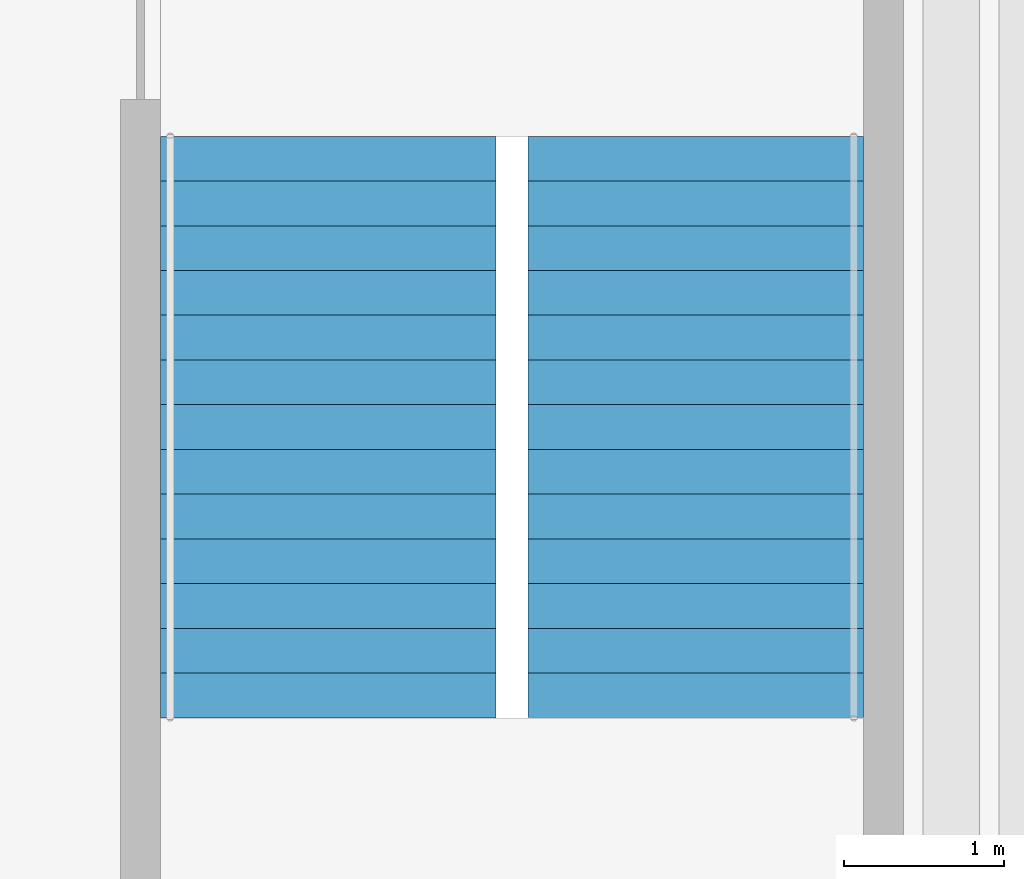
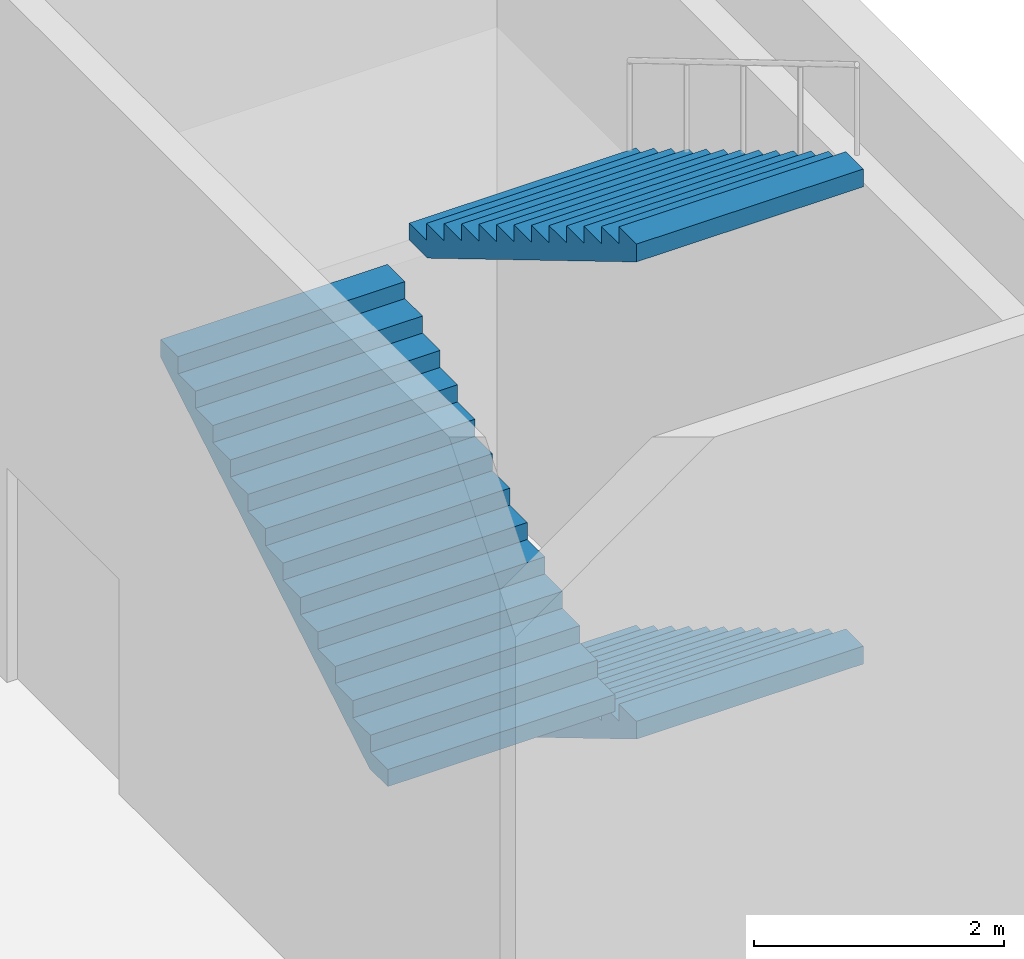
# One storey, part 17 of 32: 3 stair flights, 1 element without a shape of its own.
"""IFC4 building model written with IfcOpenShell, lengths in metres."""

from ifc_helpers import new_model, si_unit, direction, frame, origin, place, context, subcontext, project, spatial, polyline, outline, extrude, material, type_object, element, aggregate, save


model = new_model("IFC4")

# Units and contexts
model_context = context("Model", 3, precision=1e-05, world=origin(), true_north=direction((0.0, 1.0)))
body_context = subcontext(model_context, "Body", "Model", "MODEL_VIEW")
ifc_project = project(units=[si_unit("LENGTHUNIT", "METRE"), si_unit("AREAUNIT", "SQUARE_METRE"), si_unit("VOLUMEUNIT", "CUBIC_METRE"), si_unit("PLANEANGLEUNIT", "RADIAN"), si_unit("MASSUNIT", "GRAM", prefix="KILO")], contexts=[model_context])

# Site, building, storey
site_placement = place(None, origin())
site = spatial("IfcSite", under=ifc_project, at=site_placement, CompositionType="ELEMENT")
building_placement = place(site_placement, origin())
building = spatial("IfcBuilding", under=site, at=building_placement, Name="Loomwork Tower", CompositionType="ELEMENT")
storey_placement = place(building_placement, frame((0.0, 0.0, 16.0)))
storey = spatial("IfcBuildingStorey", under=building, at=storey_placement, Name="L03", CompositionType="ELEMENT", Elevation=16.0)

# Stair, stair flights
ifc_material_1 = material(Name="Concrete 5000 psi (34 MPa) precast stair", Category="concrete")
stair_type = type_object("IfcStairType", Name="Stair ST-S4P 42 risers of 167 4400 wide", PredefinedType="HALF_TURN_STAIR", material=ifc_material_1)
stair_placement = place(storey_placement, origin())
stair = element("IfcStair", 1, at=stair_placement, inside=storey, type_object=stair_type, Name="Podium stair PS4 L03", PredefinedType="HALF_TURN_STAIR")
ifc_material_2 = material(Name="Concrete 5000 psi (34 MPa) precast stair", Category="concrete")
stair_flight_type = type_object("IfcStairFlightType", Name="Stair flight ST-S4P 14 risers of 167 2100 wide", PredefinedType="STRAIGHT", material=ifc_material_2)
stair_flight_1_placement = place(storey_placement, frame((61.39990234375, 42.320068359375, 0.0), z_axis=(0.0, 0.0, 1.0), x_axis=(0.0, -1.0, 0.0)))
stair_flight_1 = element("IfcStairFlight", 2, at=stair_flight_1_placement, type_object=stair_flight_type, Name="ST-S4P flight 1", NumberOfRisers=14, NumberOfTreads=13, PredefinedType="STRAIGHT", RiserHeight=0.166666667, TreadLength=0.28, context=body_context, shape_type="SweptSolid", body=[
    extrude(outline(polyline([(0.0, 0.0), (0.0, 0.166748046875), (0.280029296875, 0.166748046875), (0.280029296875, 0.333251953125), (0.56005859375, 0.333251953125), (0.56005859375, 0.5), (0.840087890625, 0.5), (0.840087890625, 0.666748046875), (1.1201171875, 0.666748046875), (1.1201171875, 0.833251953125), (1.39990234375, 0.833251953125), (1.39990234375, 1.0), (1.679931640625, 1.0), (1.679931640625, 1.166748046875), (1.9599609375, 1.166748046875), (1.9599609375, 1.333251953125), (2.239990234375, 1.333251953125), (2.239990234375, 1.5), (2.52001953125, 1.5), (2.52001953125, 1.666748046875), (2.800048828125, 1.666748046875), (2.800048828125, 1.833251953125), (3.080078125, 1.833251953125), (3.080078125, 2.0), (3.360107421875, 2.0), (3.360107421875, 2.166748046875), (3.639892578125, 2.166748046875), (3.639892578125, 2.333251953125), (3.639892578125, 1.9921875), (0.29296875, 0.0), (0.0, 0.0)])), frame((0.0, 1.050048828125, 0.0), z_axis=(0.0, -1.0, 0.0), x_axis=(1.0, 0.0, 0.0)), (0.0, 0.0, 1.0), 2.10009765625),
])
stair_flight_2_placement = place(storey_placement, frame((59.10009765625, 38.679931640625, 2.333251953125), z_axis=(0.0, 0.0, 1.0), x_axis=(0.0, 1.0, 0.0)))
stair_flight_2 = element("IfcStairFlight", 3, at=stair_flight_2_placement, type_object=stair_flight_type, Name="ST-S4P flight 2", NumberOfRisers=14, NumberOfTreads=13, PredefinedType="STRAIGHT", RiserHeight=0.166666667, TreadLength=0.28, context=body_context, shape_type="SweptSolid", body=[
    extrude(outline(polyline([(0.0, 0.0), (0.0, 0.166748046875), (0.280029296875, 0.166748046875), (0.280029296875, 0.333251953125), (0.56005859375, 0.333251953125), (0.56005859375, 0.5), (0.840087890625, 0.5), (0.840087890625, 0.666748046875), (1.1201171875, 0.666748046875), (1.1201171875, 0.833251953125), (1.39990234375, 0.833251953125), (1.39990234375, 1.0), (1.679931640625, 1.0), (1.679931640625, 1.166748046875), (1.9599609375, 1.166748046875), (1.9599609375, 1.333251953125), (2.239990234375, 1.333251953125), (2.239990234375, 1.5), (2.52001953125, 1.5), (2.52001953125, 1.666748046875), (2.800048828125, 1.666748046875), (2.800048828125, 1.833251953125), (3.080078125, 1.833251953125), (3.080078125, 2.0), (3.360107421875, 2.0), (3.360107421875, 2.166748046875), (3.639892578125, 2.166748046875), (3.639892578125, 2.333251953125), (3.639892578125, 1.9921875), (0.29296875, 0.0), (0.0, 0.0)])), frame((0.0, 1.050048828125, 0.0), z_axis=(0.0, -1.0, 0.0), x_axis=(1.0, 0.0, 0.0)), (0.0, 0.0, 1.0), 2.10009765625),
])
stair_flight_3_placement = place(storey_placement, frame((61.39990234375, 42.320068359375, 4.666748046875), z_axis=(0.0, 0.0, 1.0), x_axis=(0.0, -1.0, 0.0)))
stair_flight_3 = element("IfcStairFlight", 4, at=stair_flight_3_placement, type_object=stair_flight_type, Name="ST-S4P flight 3", NumberOfRisers=14, NumberOfTreads=13, PredefinedType="STRAIGHT", RiserHeight=0.166666667, TreadLength=0.28, context=body_context, shape_type="SweptSolid", body=[
    extrude(outline(polyline([(0.0, 0.0), (0.0, 0.166748046875), (0.280029296875, 0.166748046875), (0.280029296875, 0.333251953125), (0.56005859375, 0.333251953125), (0.56005859375, 0.5), (0.840087890625, 0.5), (0.840087890625, 0.666748046875), (1.1201171875, 0.666748046875), (1.1201171875, 0.833251953125), (1.39990234375, 0.833251953125), (1.39990234375, 1.0), (1.679931640625, 1.0), (1.679931640625, 1.166748046875), (1.9599609375, 1.166748046875), (1.9599609375, 1.333251953125), (2.239990234375, 1.333251953125), (2.239990234375, 1.5), (2.52001953125, 1.5), (2.52001953125, 1.666748046875), (2.800048828125, 1.666748046875), (2.800048828125, 1.833251953125), (3.080078125, 1.833251953125), (3.080078125, 2.0), (3.360107421875, 2.0), (3.360107421875, 2.166748046875), (3.639892578125, 2.166748046875), (3.639892578125, 2.333251953125), (3.639892578125, 1.9921875), (0.29296875, 0.0), (0.0, 0.0)])), frame((0.0, 1.050048828125, 0.0), z_axis=(0.0, -1.0, 0.0), x_axis=(1.0, 0.0, 0.0)), (0.0, 0.0, 1.0), 2.10009765625),
])
aggregate(stair, [stair_flight_1, stair_flight_2, stair_flight_3])

save(model, "model.ifc")
